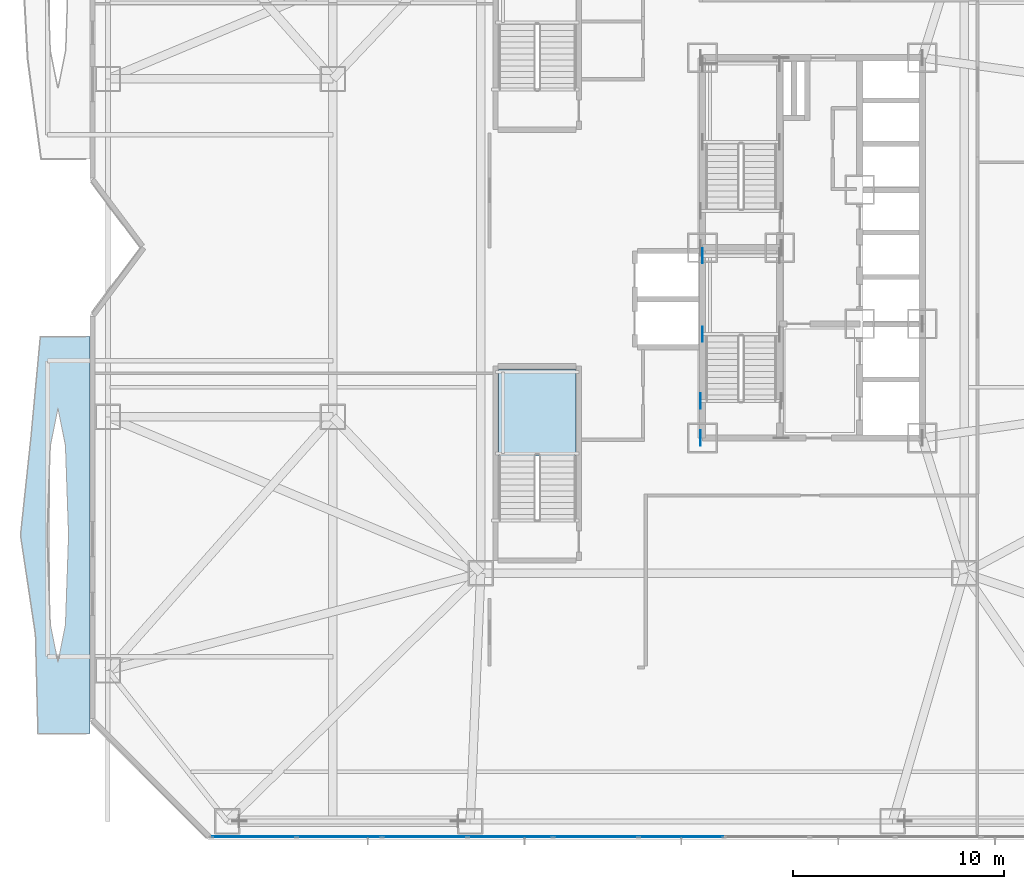
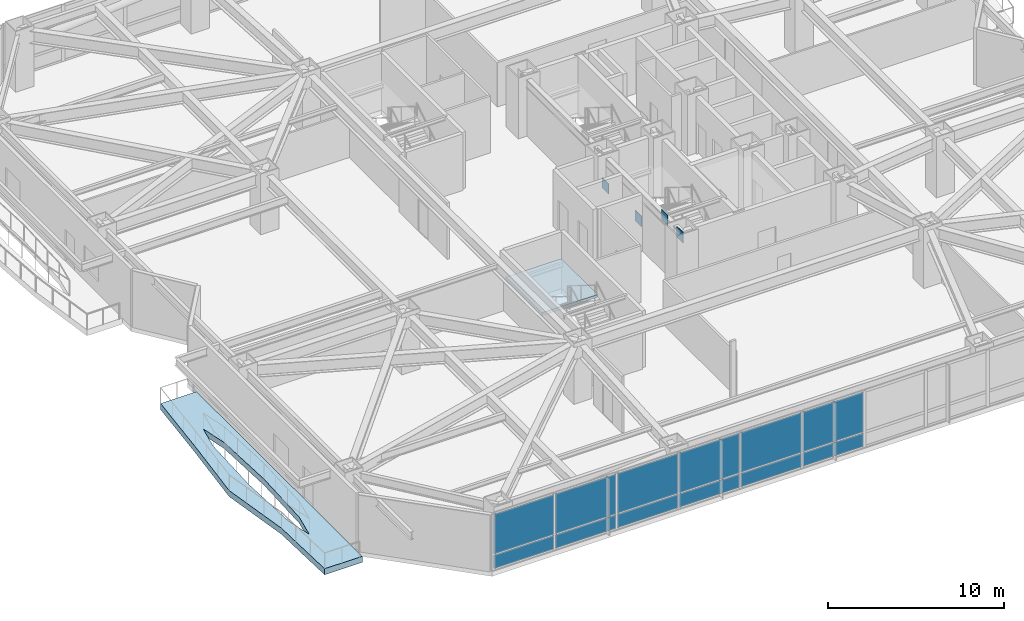
# One storey, part 16 of 32: 16 plates, 2 slabs, 2 elements without a shape of their own.
"""IFC4 building model written with IfcOpenShell, lengths in metres."""

from ifc_helpers import new_model, si_unit, direction, frame, origin, origin_2d, place, context, subcontext, project, spatial, polyline, rectangle, outline, extrude, material, layer, layer_set, type_object, element, aggregate, save


model = new_model("IFC4")

# Units and contexts
model_context = context("Model", 3, precision=1e-05, world=origin(), true_north=direction((0.0, 1.0)))
body_context = subcontext(model_context, "Body", "Model", "MODEL_VIEW")
ifc_project = project(units=[si_unit("LENGTHUNIT", "METRE"), si_unit("AREAUNIT", "SQUARE_METRE"), si_unit("VOLUMEUNIT", "CUBIC_METRE"), si_unit("PLANEANGLEUNIT", "RADIAN"), si_unit("MASSUNIT", "GRAM", prefix="KILO")], contexts=[model_context])

# Site, building, storey
site_placement = place(None, origin())
site = spatial("IfcSite", under=ifc_project, at=site_placement, CompositionType="ELEMENT")
building_placement = place(site_placement, origin())
building = spatial("IfcBuilding", under=site, at=building_placement, Name="Khamvora Tower", CompositionType="ELEMENT")
storey_placement = place(building_placement, frame((0.0, 0.0, 12.0)))
storey = spatial("IfcBuildingStorey", under=building, at=storey_placement, Name="L02", CompositionType="ELEMENT", Elevation=12.0)

# Curtain wall, plates
ifc_material_1 = material(Name="Anodised Aluminium 6063-T6", Category="aluminium")
curtain_wall_type = type_object("IfcCurtainWallType", Name="CW-SYS-01", PredefinedType="NOTDEFINED", material=ifc_material_1)
curtain_wall_placement = place(storey_placement, origin())
curtain_wall = element("IfcCurtainWall", 1, at=curtain_wall_placement, inside=storey, type_object=curtain_wall_type, Name="L02 stick curtain wall 14.1", PredefinedType="NOTDEFINED")
ifc_material_2 = material(Name="Low-E Laminated Double Glazing", Category="glass")
ifc_layer_1 = layer(ifc_material_2, 0.035888671875)
ifc_layer_set_1 = layer_set([ifc_layer_1], Name="Low-E Laminated Double Glazing")
plate_type_1 = type_object("IfcPlateType", Name="CW-SYS-01-PNL", PredefinedType="CURTAIN_PANEL", material=ifc_layer_set_1)
plate_1_placement = place(storey_placement, frame((28.0, 0.1201171875, 0.074951171875), z_axis=(0.0, 0.0, 1.0), x_axis=(-1.0, 0.0, 0.0)))
plate_1 = element("IfcPlate", 2, at=plate_1_placement, type_object=plate_type_1, Name="CW-01 panel 6.1", PredefinedType="CURTAIN_PANEL", context=body_context, shape_type="SweptSolid", body=[
    extrude(rectangle(XDim=3.97509765625, YDim=0.035888671875, at=origin_2d()), origin(), (0.0, 0.0, 1.0), 0.9375),
])
plate_2_placement = place(storey_placement, frame((28.0, 0.1201171875, 1.08740234375), z_axis=(0.0, 0.0, 1.0), x_axis=(-1.0, 0.0, 0.0)))
plate_2 = element("IfcPlate", 3, at=plate_2_placement, type_object=plate_type_1, Name="CW-01 panel 6.2", PredefinedType="CURTAIN_PANEL", context=body_context, shape_type="SweptSolid", body=[
    extrude(rectangle(XDim=3.97509765625, YDim=0.035888671875, at=origin_2d()), origin(), (0.0, 0.0, 1.0), 2.757568359375),
])
plate_3_placement = place(storey_placement, frame((23.949951171875, 0.1201171875, 0.074951171875), z_axis=(0.0, 0.0, 1.0), x_axis=(-1.0, 0.0, 0.0)))
plate_3 = element("IfcPlate", 4, at=plate_3_placement, type_object=plate_type_1, Name="CW-01 panel 7.1", PredefinedType="CURTAIN_PANEL", context=body_context, shape_type="SweptSolid", body=[
    extrude(rectangle(XDim=3.97509765625, YDim=0.035888671875, at=origin_2d()), origin(), (0.0, 0.0, 1.0), 0.9375),
])
plate_4_placement = place(storey_placement, frame((23.949951171875, 0.1201171875, 1.08740234375), z_axis=(0.0, 0.0, 1.0), x_axis=(-1.0, 0.0, 0.0)))
plate_4 = element("IfcPlate", 5, at=plate_4_placement, type_object=plate_type_1, Name="CW-01 panel 7.2", PredefinedType="CURTAIN_PANEL", context=body_context, shape_type="SweptSolid", body=[
    extrude(rectangle(XDim=3.97509765625, YDim=0.035888671875, at=origin_2d()), origin(), (0.0, 0.0, 1.0), 2.757568359375),
])
plate_5_placement = place(storey_placement, frame((19.89990234375, 0.1201171875, 0.074951171875), z_axis=(0.0, 0.0, 1.0), x_axis=(-1.0, 0.0, 0.0)))
plate_5 = element("IfcPlate", 6, at=plate_5_placement, type_object=plate_type_1, Name="CW-01 panel 8.1", PredefinedType="CURTAIN_PANEL", context=body_context, shape_type="SweptSolid", body=[
    extrude(rectangle(XDim=3.97509765625, YDim=0.035888671875, at=origin_2d()), origin(), (0.0, 0.0, 1.0), 0.9375),
])
plate_6_placement = place(storey_placement, frame((19.89990234375, 0.1201171875, 1.08740234375), z_axis=(0.0, 0.0, 1.0), x_axis=(-1.0, 0.0, 0.0)))
plate_6 = element("IfcPlate", 7, at=plate_6_placement, type_object=plate_type_1, Name="CW-01 panel 8.2", PredefinedType="CURTAIN_PANEL", context=body_context, shape_type="SweptSolid", body=[
    extrude(rectangle(XDim=3.97509765625, YDim=0.035888671875, at=origin_2d()), origin(), (0.0, 0.0, 1.0), 2.757568359375),
])
plate_7_placement = place(storey_placement, frame((15.85009765625, 0.1201171875, 0.074951171875), z_axis=(0.0, 0.0, 1.0), x_axis=(-1.0, 0.0, 0.0)))
plate_7 = element("IfcPlate", 8, at=plate_7_placement, type_object=plate_type_1, Name="CW-01 panel 9.1", PredefinedType="CURTAIN_PANEL", context=body_context, shape_type="SweptSolid", body=[
    extrude(rectangle(XDim=3.97509765625, YDim=0.035888671875, at=origin_2d()), origin(), (0.0, 0.0, 1.0), 0.9375),
])
plate_8_placement = place(storey_placement, frame((15.85009765625, 0.1201171875, 1.08740234375), z_axis=(0.0, 0.0, 1.0), x_axis=(-1.0, 0.0, 0.0)))
plate_8 = element("IfcPlate", 9, at=plate_8_placement, type_object=plate_type_1, Name="CW-01 panel 9.2", PredefinedType="CURTAIN_PANEL", context=body_context, shape_type="SweptSolid", body=[
    extrude(rectangle(XDim=3.97509765625, YDim=0.035888671875, at=origin_2d()), origin(), (0.0, 0.0, 1.0), 2.757568359375),
])
plate_9_placement = place(storey_placement, frame((11.800048828125, 0.1201171875, 0.074951171875), z_axis=(0.0, 0.0, 1.0), x_axis=(-1.0, 0.0, 0.0)))
plate_9 = element("IfcPlate", 10, at=plate_9_placement, type_object=plate_type_1, Name="CW-01 panel 10.1", PredefinedType="CURTAIN_PANEL", context=body_context, shape_type="SweptSolid", body=[
    extrude(rectangle(XDim=3.97509765625, YDim=0.035888671875, at=origin_2d()), origin(), (0.0, 0.0, 1.0), 0.9375),
])
plate_10_placement = place(storey_placement, frame((11.800048828125, 0.1201171875, 1.08740234375), z_axis=(0.0, 0.0, 1.0), x_axis=(-1.0, 0.0, 0.0)))
plate_10 = element("IfcPlate", 11, at=plate_10_placement, type_object=plate_type_1, Name="CW-01 panel 10.2", PredefinedType="CURTAIN_PANEL", context=body_context, shape_type="SweptSolid", body=[
    extrude(rectangle(XDim=3.97509765625, YDim=0.035888671875, at=origin_2d()), origin(), (0.0, 0.0, 1.0), 2.757568359375),
])
plate_11_placement = place(storey_placement, frame((7.768798828125, 0.1201171875, 0.074951171875), z_axis=(0.0, 0.0, 1.0), x_axis=(-1.0, 0.0, 0.0)))
plate_11 = element("IfcPlate", 12, at=plate_11_placement, type_object=plate_type_1, Name="CW-01 panel 11.1", PredefinedType="CURTAIN_PANEL", context=body_context, shape_type="SweptSolid", body=[
    extrude(rectangle(XDim=3.9375, YDim=0.035888671875, at=origin_2d()), origin(), (0.0, 0.0, 1.0), 0.9375),
])
plate_12_placement = place(storey_placement, frame((7.768798828125, 0.1201171875, 1.08740234375), z_axis=(0.0, 0.0, 1.0), x_axis=(-1.0, 0.0, 0.0)))
plate_12 = element("IfcPlate", 13, at=plate_12_placement, type_object=plate_type_1, Name="CW-01 panel 11.2", PredefinedType="CURTAIN_PANEL", context=body_context, shape_type="SweptSolid", body=[
    extrude(rectangle(XDim=3.9375, YDim=0.035888671875, at=origin_2d()), origin(), (0.0, 0.0, 1.0), 2.757568359375),
])
aggregate(curtain_wall, [plate_1, plate_2, plate_3, plate_4, plate_5, plate_6, plate_7, plate_8, plate_9, plate_10, plate_11, plate_12])

# Plates
ifc_material_3 = material(Name="Steel S460", Category="steel")
ifc_layer_2 = layer(ifc_material_3, 0.034912109375)
ifc_layer_set_2 = layer_set([ifc_layer_2], Name="Steel S460")
plate_type_2 = type_object("IfcPlateType", Name="PL-EMB-35", PredefinedType="SHEET", material=ifc_layer_set_2)
for number, where, z_axis, x_axis, name in (
    (14, (29.0, 23.9150390625, 1.4091796875), (0.0, 0.0, 1.0), (1.0, 0.0, 0.0), "L02 core shear wall cast-in embed plate 0103"),
    (15, (29.0, 27.6298828125, 1.4091796875), (0.0, 0.0, 1.0), (1.0, 0.0, 0.0), "L02 core shear wall cast-in embed plate 0105"),
    (16, (28.89990234375, 19.0, 3.29296875), (0.0, 0.0, 1.0), (1.0, 0.0, 0.0), "L02 core shear wall cast-in embed plate 0114"),
    (17, (28.89990234375, 20.75, 3.43408203125), (0.0, 0.0, 1.0), (1.0, 0.0, 0.0), "L02 core shear wall cast-in embed plate 0123"),
):
    element("IfcPlate", number, at=place(storey_placement, frame(where, z_axis=z_axis, x_axis=x_axis)), inside=storey, type_object=plate_type_2, Name=name, PredefinedType="SHEET", context=body_context, shape_type="SweptSolid", body=[
        extrude(rectangle(XDim=0.034912109375, YDim=0.719970703125, at=origin_2d()), origin(), (0.0, 0.0, 1.0), 0.719970703125),
    ])

# Slab
ifc_material_4 = material(Name="Concrete C40/50", Category="concrete")
ifc_layer_3 = layer(ifc_material_4, 0.419921875)
ifc_layer_set_3 = layer_set([ifc_layer_3], Name="Concrete C40/50")
slab_type_1 = type_object("IfcSlabType", Name="SLB-GRD-420", PredefinedType="FLOOR", material=ifc_layer_set_3)
slab_1_placement = place(storey_placement, frame((0.0, 0.0, -0.419921875)))
element("IfcSlab", 18, at=slab_1_placement, inside=storey, type_object=slab_type_1, Name="L02 external lens gallery slab WL1", PredefinedType="FLOOR", context=body_context, shape_type="SweptSolid", body=[
    extrude(outline(polyline([(0.0, 5.0), (0.0, 23.800048828125), (-2.35107421875, 23.800048828125), (-2.785888671875, 19.10009765625), (-3.2880859375, 14.39990234375), (-2.5810546875, 9.699951171875), (-2.462890625, 5.0), (0.0, 5.0)]), holes=[polyline([(-1.010986328125, 14.39990234375), (-1.158935546875, 18.654052734375), (-1.514892578125, 20.416015625), (-1.87109375, 18.654052734375), (-2.01904296875, 14.39990234375), (-1.87109375, 10.14599609375), (-1.514892578125, 8.384033203125), (-1.158935546875, 10.14599609375), (-1.010986328125, 14.39990234375)])]), origin(), (0.0, 0.0, 1.0), 0.419921875),
])

# Stair, slab
stair_type = type_object("IfcStairType", Name="STR-ST-03", PredefinedType="HALF_TURN_STAIR", material=ifc_material_4)
stair_placement = place(storey_placement, origin())
stair = element("IfcStair", 19, at=stair_placement, inside=storey, type_object=stair_type, Name="L02 South School Podium Stair ST-03", PredefinedType="HALF_TURN_STAIR")
ifc_layer_4 = layer(ifc_material_4, 0.199951171875)
ifc_layer_set_4 = layer_set([ifc_layer_4], Name="Concrete C40/50")
slab_type_2 = type_object("IfcSlabType", Name="SLB-LND-200", PredefinedType="LANDING", material=ifc_layer_set_4)
slab_2_placement = place(storey_placement, frame((0.0, 0.0, 1.89990234375)))
slab_2 = element("IfcSlab", 20, at=slab_2_placement, type_object=slab_type_2, Name="ST-03 landing 1", PredefinedType="LANDING", context=body_context, shape_type="SweptSolid", body=[
    extrude(outline(polyline([(23.0, 18.14501953125), (23.0, 22.25), (19.35009765625, 22.25), (19.35009765625, 18.14501953125), (23.0, 18.14501953125)])), origin(), (0.0, 0.0, 1.0), 0.2001953125),
])
aggregate(stair, [slab_2])

save(model, "model.ifc")
